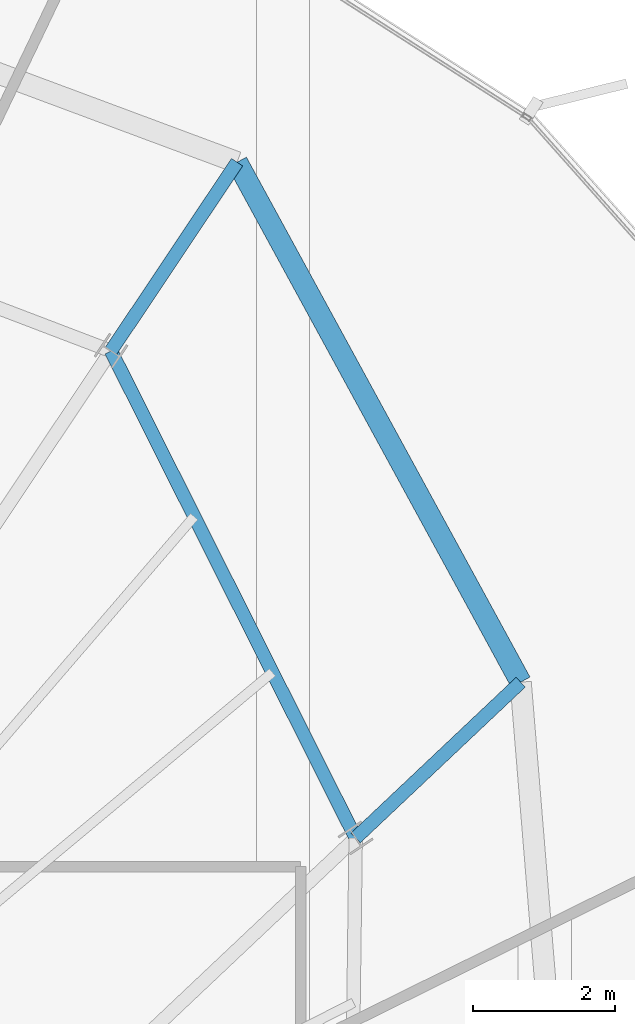
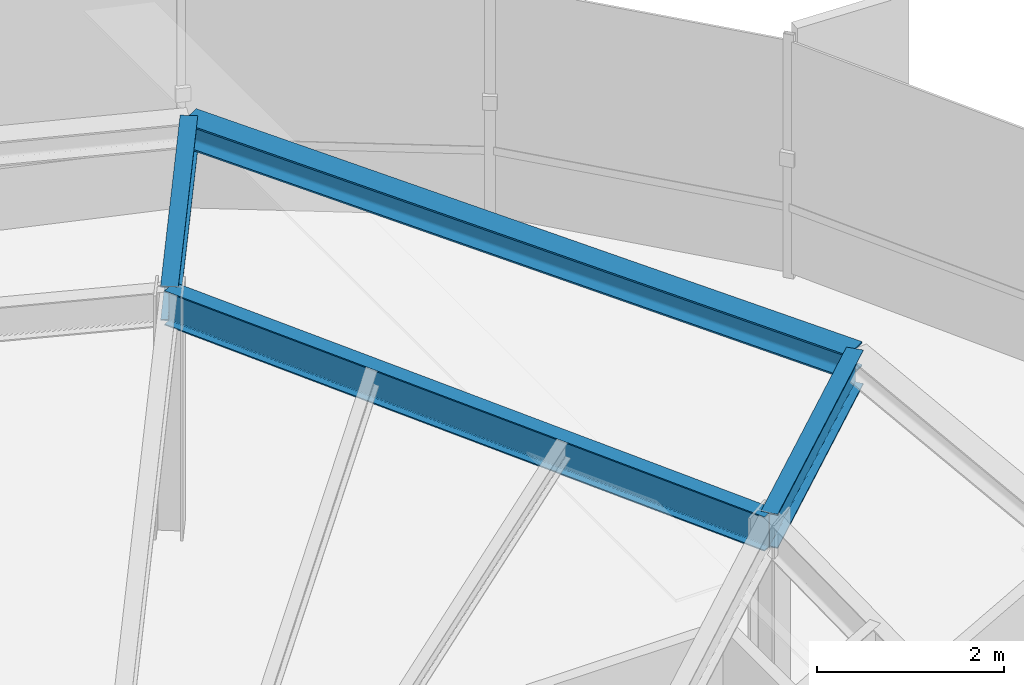
# One storey, part 23 of 33: 4 beams.
"""IFC4 building model written with IfcOpenShell, lengths in metres."""

from ifc_helpers import new_model, si_unit, direction, frame, origin, origin_2d, place, context, subcontext, project, spatial, i_section, extrude, source, transform, mapped, material, material_profile, profile_set, type_object, element, save


model = new_model("IFC4")

# Units and contexts
model_context = context("Model", 3, precision=1e-05, world=origin(), true_north=direction((0.0, 1.0)))
body_context = subcontext(model_context, "Body", "Model", "MODEL_VIEW")
ifc_project = project(units=[si_unit("LENGTHUNIT", "METRE"), si_unit("AREAUNIT", "SQUARE_METRE"), si_unit("VOLUMEUNIT", "CUBIC_METRE"), si_unit("PLANEANGLEUNIT", "RADIAN"), si_unit("MASSUNIT", "GRAM", prefix="KILO"), si_unit("THERMODYNAMICTEMPERATUREUNIT", "KELVIN")], contexts=[model_context])

# Site, building, storey
site_placement = place(None, origin())
site = spatial("IfcSite", under=ifc_project, at=site_placement, CompositionType="ELEMENT")
building_placement = place(site_placement, origin())
building = spatial("IfcBuilding", under=site, at=building_placement, Name="Kethvar Cultural Tower", CompositionType="ELEMENT")
storey_placement = place(building_placement, frame((0.0, 0.0, 235.300048828125)))
storey = spatial("IfcBuildingStorey", under=building, at=storey_placement, Name="L61", CompositionType="ELEMENT", Elevation=235.300048828125)

# Beams
ifc_material = material(Name="Steel S355J2", Category="steel")
ifc_material_profile_1 = material_profile(ifc_material, i_section(OverallWidth=0.18994140625, OverallDepth=0.449951171875, WebThickness=0.009521484375, FlangeThickness=0.0146484375, FilletRadius=0.02099609375, at=origin_2d()), Name="Steel S355J2 — IPE450")
ifc_profile_set_1 = profile_set([ifc_material_profile_1], Name="Steel S355J2 — IPE450")
beam_type_1 = type_object("IfcBeamType", Name="BM-IPE450", PredefinedType="BEAM", material=ifc_profile_set_1)
shared_shape_1 = source(origin(), body_context, "Body", "SweptSolid", [
    extrude(i_section(OverallWidth=0.18994140625, OverallDepth=0.449951171875, WebThickness=0.009521484375, FlangeThickness=0.0146484375, FilletRadius=0.02099609375, at=origin_2d()), origin(), (0.0, 0.0, 1.0), 3.199951171875),
])
beam_1_placement = place(storey_placement, frame((61.32568359375, 37.505859375, 2.98291015625), z_axis=(0.727146433404, 0.686482384616, 0.0), x_axis=(-0.686482384616, 0.727146433404, 0.0)))
element("IfcBeam", 1, at=beam_1_placement, inside=storey, type_object=beam_type_1, Name="L61 Perimeter Cantilever Beam RC-02", PredefinedType="BEAM", context=body_context, shape_type="MappedRepresentation", body=[
    mapped(shared_shape_1, transform((0.0, 0.0, 0.0), scale=1.0)),
])
shared_shape_2 = source(origin(), body_context, "Body", "SweptSolid", [
    extrude(i_section(OverallWidth=0.18994140625, OverallDepth=0.449951171875, WebThickness=0.009521484375, FlangeThickness=0.0146484375, FilletRadius=0.02099609375, at=origin_2d()), origin(), (0.0, 0.0, 1.0), 3.2001953125),
])
beam_2_placement = place(storey_placement, frame((57.875244140625, 44.375, 2.98291015625), z_axis=(0.555544970406, 0.831486491686, 0.0), x_axis=(-0.831486491686, 0.555544970406, 0.0)))
element("IfcBeam", 2, at=beam_2_placement, inside=storey, type_object=beam_type_1, Name="L61 Perimeter Cantilever Beam RC-03", PredefinedType="BEAM", context=body_context, shape_type="MappedRepresentation", body=[
    mapped(shared_shape_2, transform((0.0, 0.0, 0.0), scale=1.0)),
])
shared_shape_3 = source(origin(), body_context, "Body", "SweptSolid", [
    extrude(i_section(OverallWidth=0.18994140625, OverallDepth=0.449951171875, WebThickness=0.009521484375, FlangeThickness=0.0146484375, FilletRadius=0.02099609375, at=origin_2d()), origin(), (0.0, 0.0, 1.0), 7.68701171875),
])
beam_3_placement = place(storey_placement, frame((61.32568359375, 37.505859375, 2.98291015625), z_axis=(-0.448864354142, 0.893599905763, 0.0), x_axis=(-0.893599905763, -0.448864354142, 0.0)))
element("IfcBeam", 3, at=beam_3_placement, inside=storey, type_object=beam_type_1, Name="L61 Column Ring Tie Beam CR-02", PredefinedType="BEAM", context=body_context, shape_type="MappedRepresentation", body=[
    mapped(shared_shape_3, transform((0.0, 0.0, 0.0), scale=1.0)),
])
ifc_material_profile_2 = material_profile(ifc_material, i_section(OverallWidth=0.300048828125, OverallDepth=0.320068359375, WebThickness=0.011474609375, FlangeThickness=0.0205078125, FilletRadius=0.027099609375, at=origin_2d()), Name="Steel S355J2 — HEB320")
ifc_profile_set_2 = profile_set([ifc_material_profile_2], Name="Steel S355J2 — HEB320")
beam_type_2 = type_object("IfcBeamType", Name="BM-SP320", PredefinedType="SPANDREL", material=ifc_profile_set_2)
shared_shape_4 = source(origin(), body_context, "Body", "SweptSolid", [
    extrude(i_section(OverallWidth=0.300048828125, OverallDepth=0.320068359375, WebThickness=0.011474609375, FlangeThickness=0.0205078125, FilletRadius=0.027099609375, at=origin_2d()), origin(), (0.0, 0.0, 1.0), 8.35302734375),
])
beam_4_placement = place(storey_placement, frame((63.652587890625, 39.70263671875, 3.0478515625), z_axis=(-0.478811173891, 0.877917911742, 0.0), x_axis=(-0.877917911742, -0.478811173891, 0.0)))
element("IfcBeam", 4, at=beam_4_placement, inside=storey, type_object=beam_type_2, Name="L61 Perimeter Spandrel Beam SP-02", PredefinedType="SPANDREL", context=body_context, shape_type="MappedRepresentation", body=[
    mapped(shared_shape_4, transform((0.0, 0.0, 0.0), scale=1.0)),
])

save(model, "model.ifc")
